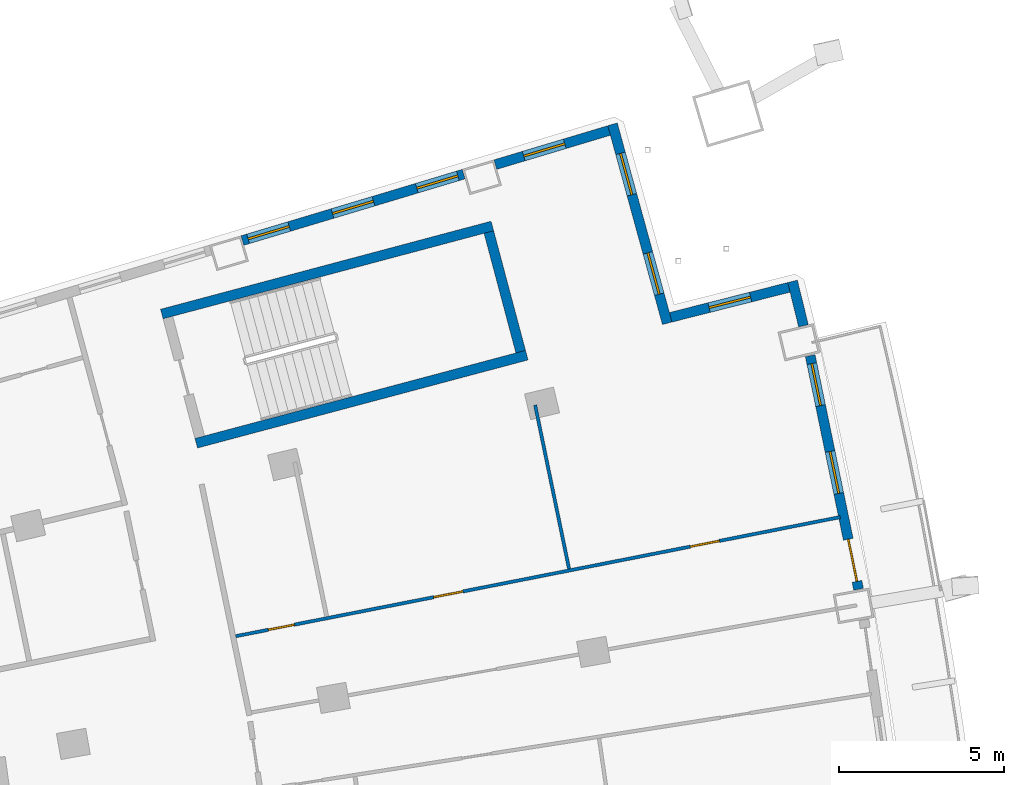
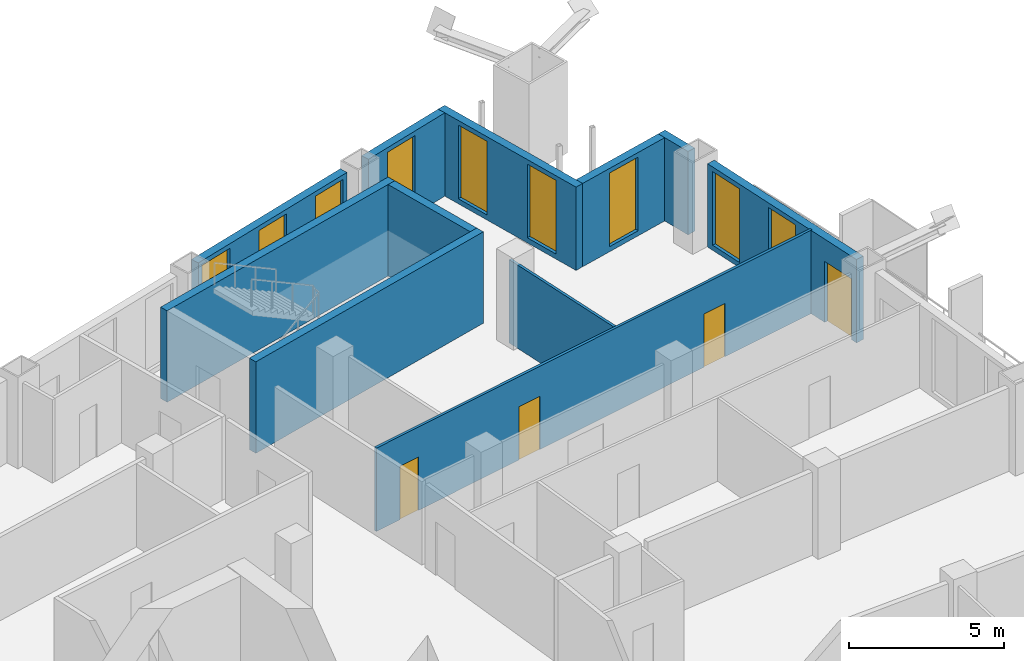
# One storey, part 17 of 22: 11 walls, 9 windows, 4 doors, 13 openings.
"""IFC4 building model written with IfcOpenShell, lengths in metres."""

from ifc_helpers import new_model, si_unit, direction, frame, frame_2d, origin, place, context, subcontext, project, spatial, rectangle, extrude, material, layer, layer_set, type_object, element, fill, save


model = new_model("IFC4")

# Units and contexts
model_context = context("Model", 3, precision=1e-05, world=origin(), true_north=direction((0.0, 1.0)))
body_context = subcontext(model_context, "Body", "Model", "MODEL_VIEW")
ifc_project = project(units=[si_unit("LENGTHUNIT", "METRE"), si_unit("AREAUNIT", "SQUARE_METRE"), si_unit("VOLUMEUNIT", "CUBIC_METRE"), si_unit("PLANEANGLEUNIT", "RADIAN"), si_unit("MASSUNIT", "GRAM", prefix="KILO")], contexts=[model_context])

# Site, building, storey
site_placement = place(None, origin())
site = spatial("IfcSite", under=ifc_project, at=site_placement, CompositionType="ELEMENT")
building_placement = place(site_placement, origin())
building = spatial("IfcBuilding", under=site, at=building_placement, Name="Alderwake Tower", CompositionType="ELEMENT")
storey_placement = place(building_placement, frame((0.0, 0.0, 156.800048828125)))
storey = spatial("IfcBuildingStorey", under=building, at=storey_placement, Name="L38", CompositionType="ELEMENT", Elevation=156.800048828125)

# Walls
ifc_material_1 = material(Name="Concrete C70/85", Category="concrete")
ifc_layer_1 = layer(ifc_material_1, 0.300048828125)
ifc_layer_set_1 = layer_set([ifc_layer_1], Name="Core wall stair enclosure 300 C70-85")
wall_type_1 = type_object("IfcWallType", Name="Core wall stair enclosure 300 C70-85", PredefinedType="SHEAR", material=ifc_layer_set_1)
for number, where, z_axis, x_axis, name in (
    (1, (36.71142578125, 94.182373046875, 0.0), (0.0, 0.0, 1.0), (0.966309214305, 0.257383958996, 0.0), "Core wall CW.082"),
    (2, (37.75390625, 90.268798828125, 0.0), (0.0, 0.0, 1.0), (0.966309214305, 0.257383958996, 0.0), "Core wall CW.084"),
):
    element("IfcWall", number, at=place(storey_placement, frame(where, z_axis=z_axis, x_axis=x_axis)), inside=storey, type_object=wall_type_1, Name=name, PredefinedType="SHEAR", context=body_context, shape_type="SweptSolid", body=[
        extrude(rectangle(XDim=10.360107421875, YDim=0.300048828125, at=frame_2d((5.18017578125, 0.0))), origin(), (0.0, 0.0, 1.0), 3.599853515625),
    ])
wall_1_placement = place(storey_placement, frame((47.581298828125, 93.041748046875, 0.0), z_axis=(0.0, 0.0, 1.0), x_axis=(-0.257366821694, 0.966313778796, 0.0)))
element("IfcWall", 3, at=wall_1_placement, inside=storey, type_object=wall_type_1, Name="Core wall CW.081", PredefinedType="SHEAR", context=body_context, shape_type="SweptSolid", body=[
    extrude(rectangle(XDim=3.749755859375, YDim=0.300048828125, at=frame_2d((1.875, 0.0))), origin(), (0.0, 0.0, 1.0), 3.599853515625),
])

# Wall, openings, door, windows
ifc_material_2 = material(Name="Precast concrete C50/60 spandrel panel", Category="concrete")
ifc_layer_2 = layer(ifc_material_2, 0.300048828125)
ifc_layer_set_2 = layer_set([ifc_layer_2], Name="External wall EW1 Precast concrete C50/60 spandrel")
wall_type_2 = type_object("IfcWallType", Name="External wall EW1 Precast concrete C50/60 spandrel", PredefinedType="SOLIDWALL", material=ifc_layer_set_2)
wall_2_placement = place(storey_placement, frame((57.81494140625, 85.84716796875, 0.0), z_axis=(0.0, 0.0, 1.0), x_axis=(-0.202762098715, 0.979228028257, 0.0)))
wall_2 = element("IfcWall", 4, at=wall_2_placement, inside=storey, type_object=wall_type_2, Name="External wall 19", PredefinedType="SOLIDWALL", context=body_context, shape_type="SweptSolid", body=[
    extrude(rectangle(XDim=7.221923828125, YDim=0.300048828125, at=frame_2d((3.61083984375, 0.0))), origin(), (0.0, 0.0, 1.0), 3.280029296875),
])
opening_1_placement = place(wall_2_placement, frame((0.2431640625, 0.0, 0.0)))
opening_1 = element("IfcOpeningElement", 5, at=opening_1_placement, cuts=wall_2, Name="Opening D08", PredefinedType="OPENING", context=body_context, shape_type="SweptSolid", body=[
    extrude(rectangle(XDim=1.300048828125, YDim=2.39990234375, at=frame_2d((0.64990234375, 1.199951171875))), frame((0.0, 0.159912109375, 0.0), z_axis=(0.0, -1.0, 0.0), x_axis=(1.0, 0.0, 0.0)), (0.0, 0.0, 1.0), 0.320068359375),
])
opening_2_placement = place(wall_2_placement, frame((2.961181640625, 0.0, 0.199951171875)))
opening_2 = element("IfcOpeningElement", 6, at=opening_2_placement, cuts=wall_2, Name="Opening W1", PredefinedType="OPENING", context=body_context, shape_type="SweptSolid", body=[
    extrude(rectangle(XDim=1.300048828125, YDim=2.89990234375, at=frame_2d((0.64990234375, 1.449951171875))), frame((0.0, 0.159912109375, 0.0), z_axis=(0.0, -1.0, 0.0), x_axis=(1.0, 0.0, 0.0)), (0.0, 0.0, 1.0), 0.320068359375),
])
opening_3_placement = place(wall_2_placement, frame((5.678955078125, 0.0, 0.199951171875)))
opening_3 = element("IfcOpeningElement", 7, at=opening_3_placement, cuts=wall_2, Name="Opening W1", PredefinedType="OPENING", context=body_context, shape_type="SweptSolid", body=[
    extrude(rectangle(XDim=1.300048828125, YDim=2.89990234375, at=frame_2d((0.64990234375, 1.449951171875))), frame((0.0, 0.159912109375, 0.0), z_axis=(0.0, -1.0, 0.0), x_axis=(1.0, 0.0, 0.0)), (0.0, 0.0, 1.0), 0.320068359375),
])
ifc_material_3 = material(Name="Bronze tinted glass in aluminium frame", Category="aluminium")
door_type_1 = type_object("IfcDoorType", Name="Balcony door BD sliding", OperationType="SLIDING_TO_LEFT", PredefinedType="DOOR", material=ifc_material_3)
door_1_placement = place(opening_1_placement, origin())
door_1 = element("IfcDoor", 8, at=door_1_placement, inside=storey, type_object=door_type_1, Name="Door D08", OperationType="SLIDING_TO_LEFT", OverallHeight=2.39990234375, OverallWidth=1.300048828125, PredefinedType="DOOR", context=body_context, shape_type="SweptSolid", body=[
    extrude(rectangle(XDim=1.300048828125, YDim=2.39990234375, at=frame_2d((0.64990234375, 1.199951171875))), frame((0.0, 0.02490234375, 0.0), z_axis=(0.0, -1.0, 0.0), x_axis=(1.0, 0.0, 0.0)), (0.0, 0.0, 1.0), 0.050048828125),
])
fill(opening_1, door_1)
ifc_material_4 = material(Name="Bronze tinted glass in aluminium frame", Category="aluminium")
window_type = type_object("IfcWindowType", Name="Window W1 tall fixed and vent", PartitioningType="DOUBLE_PANEL_VERTICAL", PredefinedType="WINDOW", material=ifc_material_4)
window_1_placement = place(opening_2_placement, origin())
window_1 = element("IfcWindow", 9, at=window_1_placement, inside=storey, type_object=window_type, Name="Window W1 tall fixed and vent", OverallHeight=2.89990234375, OverallWidth=1.300048828125, PartitioningType="DOUBLE_PANEL_VERTICAL", PredefinedType="WINDOW", context=body_context, shape_type="SweptSolid", body=[
    extrude(rectangle(XDim=1.300048828125, YDim=2.89990234375, at=frame_2d((0.64990234375, 1.449951171875))), frame((0.0, 0.030029296875, 0.0), z_axis=(0.0, -1.0, 0.0), x_axis=(1.0, 0.0, 0.0)), (0.0, 0.0, 1.0), 0.06005859375),
])
fill(opening_2, window_1)
window_2_placement = place(opening_3_placement, origin())
window_2 = element("IfcWindow", 10, at=window_2_placement, inside=storey, type_object=window_type, Name="Window W1 tall fixed and vent", OverallHeight=2.89990234375, OverallWidth=1.300048828125, PartitioningType="DOUBLE_PANEL_VERTICAL", PredefinedType="WINDOW", context=body_context, shape_type="SweptSolid", body=[
    extrude(rectangle(XDim=1.300048828125, YDim=2.89990234375, at=frame_2d((0.64990234375, 1.449951171875))), frame((0.0, 0.030029296875, 0.0), z_axis=(0.0, -1.0, 0.0), x_axis=(1.0, 0.0, 0.0)), (0.0, 0.0, 1.0), 0.06005859375),
])
fill(opening_3, window_2)

# Wall
wall_3_placement = place(storey_placement, frame((56.14599609375, 93.8251953125, 0.0), z_axis=(0.0, 0.0, 1.0), x_axis=(-0.238224661371, 0.97121007548, 0.0)))
element("IfcWall", 11, at=wall_3_placement, inside=storey, type_object=wall_type_2, Name="External wall 20", PredefinedType="SOLIDWALL", context=body_context, shape_type="SweptSolid", body=[
    extrude(rectangle(XDim=1.38671875, YDim=0.300048828125, at=frame_2d((0.693359375, 0.0))), origin(), (0.0, 0.0, 1.0), 3.280029296875),
])

# Wall, opening, window
ifc_material_5 = material(Name="Bronze metal cladding on lightweight framing")
ifc_layer_3 = layer(ifc_material_5, 0.300048828125)
ifc_layer_set_3 = layer_set([ifc_layer_3], Name="External wall EW2 bronze metal cladding")
wall_type_3 = type_object("IfcWallType", Name="External wall EW2 bronze metal cladding", PredefinedType="SOLIDWALL", material=ifc_layer_set_3)
wall_4_placement = place(storey_placement, frame((55.7060546875, 94.989501953125, 0.0), z_axis=(0.0, 0.0, 1.0), x_axis=(-0.969426922046, -0.245380200529, 0.0)))
wall_4 = element("IfcWall", 12, at=wall_4_placement, inside=storey, type_object=wall_type_3, Name="External wall 21", PredefinedType="SOLIDWALL", context=body_context, shape_type="SweptSolid", body=[
    extrude(rectangle(XDim=3.6943359375, YDim=0.300048828125, at=frame_2d((1.84716796875, 0.0))), origin(), (0.0, 0.0, 1.0), 3.280029296875),
])
opening_4_placement = place(wall_4_placement, frame((1.197021484375, 0.0, 0.199951171875)))
opening_4 = element("IfcOpeningElement", 13, at=opening_4_placement, cuts=wall_4, Name="Opening W1", PredefinedType="OPENING", context=body_context, shape_type="SweptSolid", body=[
    extrude(rectangle(XDim=1.300048828125, YDim=2.89990234375, at=frame_2d((0.64990234375, 1.449951171875))), frame((0.0, 0.159912109375, 0.0), z_axis=(0.0, -1.0, 0.0), x_axis=(1.0, 0.0, 0.0)), (0.0, 0.0, 1.0), 0.320068359375),
])
window_3_placement = place(opening_4_placement, origin())
window_3 = element("IfcWindow", 14, at=window_3_placement, inside=storey, type_object=window_type, Name="Window W1 tall fixed and vent", OverallHeight=2.89990234375, OverallWidth=1.300048828125, PartitioningType="DOUBLE_PANEL_VERTICAL", PredefinedType="WINDOW", context=body_context, shape_type="SweptSolid", body=[
    extrude(rectangle(XDim=1.300048828125, YDim=2.89990234375, at=frame_2d((0.64990234375, 1.449951171875))), frame((0.0, 0.030029296875, 0.0), z_axis=(0.0, -1.0, 0.0), x_axis=(1.0, 0.0, 0.0)), (0.0, 0.0, 1.0), 0.06005859375),
])
fill(opening_4, window_3)

# Wall, openings, windows
wall_5_placement = place(storey_placement, frame((52.01904296875, 93.901611328125, 0.0), z_axis=(0.0, 0.0, 1.0), x_axis=(-0.265092944452, 0.964222863659, 0.0)))
wall_5 = element("IfcWall", 15, at=wall_5_placement, inside=storey, type_object=wall_type_3, Name="External wall 22", PredefinedType="SOLIDWALL", context=body_context, shape_type="SweptSolid", body=[
    extrude(rectangle(XDim=6.25146484375, YDim=0.300048828125, at=frame_2d((3.125732421875, 0.0))), origin(), (0.0, 0.0, 1.0), 3.280029296875),
])
opening_5_placement = place(wall_5_placement, frame((0.912841796875, 0.0, 0.199951171875)))
opening_5 = element("IfcOpeningElement", 16, at=opening_5_placement, cuts=wall_5, Name="Opening W1", PredefinedType="OPENING", context=body_context, shape_type="SweptSolid", body=[
    extrude(rectangle(XDim=1.300048828125, YDim=2.89990234375, at=frame_2d((0.64990234375, 1.449951171875))), frame((0.0, 0.159912109375, 0.0), z_axis=(0.0, -1.0, 0.0), x_axis=(1.0, 0.0, 0.0)), (0.0, 0.0, 1.0), 0.320068359375),
])
opening_6_placement = place(wall_5_placement, frame((4.038818359375, 0.0, 0.199951171875)))
opening_6 = element("IfcOpeningElement", 17, at=opening_6_placement, cuts=wall_5, Name="Opening W1", PredefinedType="OPENING", context=body_context, shape_type="SweptSolid", body=[
    extrude(rectangle(XDim=1.300048828125, YDim=2.89990234375, at=frame_2d((0.64990234375, 1.449951171875))), frame((0.0, 0.159912109375, 0.0), z_axis=(0.0, -1.0, 0.0), x_axis=(1.0, 0.0, 0.0)), (0.0, 0.0, 1.0), 0.320068359375),
])
window_4_placement = place(opening_5_placement, origin())
window_4 = element("IfcWindow", 18, at=window_4_placement, inside=storey, type_object=window_type, Name="Window W1 tall fixed and vent", OverallHeight=2.89990234375, OverallWidth=1.300048828125, PartitioningType="DOUBLE_PANEL_VERTICAL", PredefinedType="WINDOW", context=body_context, shape_type="SweptSolid", body=[
    extrude(rectangle(XDim=1.300048828125, YDim=2.89990234375, at=frame_2d((0.64990234375, 1.449951171875))), frame((0.0, 0.030029296875, 0.0), z_axis=(0.0, -1.0, 0.0), x_axis=(1.0, 0.0, 0.0)), (0.0, 0.0, 1.0), 0.06005859375),
])
fill(opening_5, window_4)
window_5_placement = place(opening_6_placement, origin())
window_5 = element("IfcWindow", 19, at=window_5_placement, inside=storey, type_object=window_type, Name="Window W1 tall fixed and vent", OverallHeight=2.89990234375, OverallWidth=1.300048828125, PartitioningType="DOUBLE_PANEL_VERTICAL", PredefinedType="WINDOW", context=body_context, shape_type="SweptSolid", body=[
    extrude(rectangle(XDim=1.300048828125, YDim=2.89990234375, at=frame_2d((0.64990234375, 1.449951171875))), frame((0.0, 0.030029296875, 0.0), z_axis=(0.0, -1.0, 0.0), x_axis=(1.0, 0.0, 0.0)), (0.0, 0.0, 1.0), 0.06005859375),
])
fill(opening_6, window_5)

# Wall, opening, window
wall_6_placement = place(storey_placement, frame((50.2578125, 99.74169921875, 0.0), z_axis=(0.0, 0.0, 1.0), x_axis=(-0.957758994148, -0.287572093792, 0.0)))
wall_6 = element("IfcWall", 20, at=wall_6_placement, inside=storey, type_object=wall_type_3, Name="External wall 23", PredefinedType="SOLIDWALL", context=body_context, shape_type="SweptSolid", body=[
    extrude(rectangle(XDim=3.59619140625, YDim=0.300048828125, at=frame_2d((1.798095703125, 0.0))), origin(), (0.0, 0.0, 1.0), 3.280029296875),
])
opening_7_placement = place(wall_6_placement, frame((1.39892578125, 0.0, 0.199951171875)))
opening_7 = element("IfcOpeningElement", 21, at=opening_7_placement, cuts=wall_6, Name="Opening W1", PredefinedType="OPENING", context=body_context, shape_type="SweptSolid", body=[
    extrude(rectangle(XDim=1.300048828125, YDim=2.89990234375, at=frame_2d((0.64990234375, 1.449951171875))), frame((0.0, 0.159912109375, 0.0), z_axis=(0.0, -1.0, 0.0), x_axis=(1.0, 0.0, 0.0)), (0.0, 0.0, 1.0), 0.320068359375),
])
window_6_placement = place(opening_7_placement, origin())
window_6 = element("IfcWindow", 22, at=window_6_placement, inside=storey, type_object=window_type, Name="Window W1 tall fixed and vent", OverallHeight=2.89990234375, OverallWidth=1.300048828125, PartitioningType="DOUBLE_PANEL_VERTICAL", PredefinedType="WINDOW", context=body_context, shape_type="SweptSolid", body=[
    extrude(rectangle(XDim=1.300048828125, YDim=2.89990234375, at=frame_2d((0.64990234375, 1.449951171875))), frame((0.0, 0.030029296875, 0.0), z_axis=(0.0, -1.0, 0.0), x_axis=(1.0, 0.0, 0.0)), (0.0, 0.0, 1.0), 0.06005859375),
])
fill(opening_7, window_6)

# Wall, openings, windows
wall_7_placement = place(storey_placement, frame((45.852294921875, 98.4189453125, 0.0), z_axis=(0.0, 0.0, 1.0), x_axis=(-0.957766716661, -0.287546372706, 0.0)))
wall_7 = element("IfcWall", 23, at=wall_7_placement, inside=storey, type_object=wall_type_3, Name="External wall 24", PredefinedType="SOLIDWALL", context=body_context, shape_type="SweptSolid", body=[
    extrude(rectangle(XDim=6.99609375, YDim=0.300048828125, at=frame_2d((3.498046875, 0.0))), origin(), (0.0, 0.0, 1.0), 3.280029296875),
])
opening_8_placement = place(wall_7_placement, frame((0.181396484375, 0.0, 0.199951171875)))
opening_8 = element("IfcOpeningElement", 24, at=opening_8_placement, cuts=wall_7, Name="Opening W1", PredefinedType="OPENING", context=body_context, shape_type="SweptSolid", body=[
    extrude(rectangle(XDim=1.300048828125, YDim=2.89990234375, at=frame_2d((0.64990234375, 1.449951171875))), frame((0.0, 0.159912109375, 0.0), z_axis=(0.0, -1.0, 0.0), x_axis=(1.0, 0.0, 0.0)), (0.0, 0.0, 1.0), 0.320068359375),
])
opening_9_placement = place(wall_7_placement, frame((2.84814453125, 0.0, 0.199951171875)))
opening_9 = element("IfcOpeningElement", 25, at=opening_9_placement, cuts=wall_7, Name="Opening W1", PredefinedType="OPENING", context=body_context, shape_type="SweptSolid", body=[
    extrude(rectangle(XDim=1.300048828125, YDim=2.89990234375, at=frame_2d((0.64990234375, 1.449951171875))), frame((0.0, 0.159912109375, 0.0), z_axis=(0.0, -1.0, 0.0), x_axis=(1.0, 0.0, 0.0)), (0.0, 0.0, 1.0), 0.320068359375),
])
opening_10_placement = place(wall_7_placement, frame((5.514892578125, 0.0, 0.199951171875)))
opening_10 = element("IfcOpeningElement", 26, at=opening_10_placement, cuts=wall_7, Name="Opening W1", PredefinedType="OPENING", context=body_context, shape_type="SweptSolid", body=[
    extrude(rectangle(XDim=1.300048828125, YDim=2.89990234375, at=frame_2d((0.64990234375, 1.449951171875))), frame((0.0, 0.159912109375, 0.0), z_axis=(0.0, -1.0, 0.0), x_axis=(1.0, 0.0, 0.0)), (0.0, 0.0, 1.0), 0.320068359375),
])
window_7_placement = place(opening_8_placement, origin())
window_7 = element("IfcWindow", 27, at=window_7_placement, inside=storey, type_object=window_type, Name="Window W1 tall fixed and vent", OverallHeight=2.89990234375, OverallWidth=1.300048828125, PartitioningType="DOUBLE_PANEL_VERTICAL", PredefinedType="WINDOW", context=body_context, shape_type="SweptSolid", body=[
    extrude(rectangle(XDim=1.300048828125, YDim=2.89990234375, at=frame_2d((0.64990234375, 1.449951171875))), frame((0.0, 0.030029296875, 0.0), z_axis=(0.0, -1.0, 0.0), x_axis=(1.0, 0.0, 0.0)), (0.0, 0.0, 1.0), 0.06005859375),
])
fill(opening_8, window_7)
window_8_placement = place(opening_9_placement, origin())
window_8 = element("IfcWindow", 28, at=window_8_placement, inside=storey, type_object=window_type, Name="Window W1 tall fixed and vent", OverallHeight=2.89990234375, OverallWidth=1.300048828125, PartitioningType="DOUBLE_PANEL_VERTICAL", PredefinedType="WINDOW", context=body_context, shape_type="SweptSolid", body=[
    extrude(rectangle(XDim=1.300048828125, YDim=2.89990234375, at=frame_2d((0.64990234375, 1.449951171875))), frame((0.0, 0.030029296875, 0.0), z_axis=(0.0, -1.0, 0.0), x_axis=(1.0, 0.0, 0.0)), (0.0, 0.0, 1.0), 0.06005859375),
])
fill(opening_9, window_8)
window_9_placement = place(opening_10_placement, origin())
window_9 = element("IfcWindow", 29, at=window_9_placement, inside=storey, type_object=window_type, Name="Window W1 tall fixed and vent", OverallHeight=2.89990234375, OverallWidth=1.300048828125, PartitioningType="DOUBLE_PANEL_VERTICAL", PredefinedType="WINDOW", context=body_context, shape_type="SweptSolid", body=[
    extrude(rectangle(XDim=1.300048828125, YDim=2.89990234375, at=frame_2d((0.64990234375, 1.449951171875))), frame((0.0, 0.030029296875, 0.0), z_axis=(0.0, -1.0, 0.0), x_axis=(1.0, 0.0, 0.0)), (0.0, 0.0, 1.0), 0.06005859375),
])
fill(opening_10, window_9)

# Wall, openings, doors
ifc_material_6 = material(Name="Gypsum board on metal studs")
ifc_layer_4 = layer(ifc_material_6, 0.10009765625)
ifc_layer_set_4 = layer_set([ifc_layer_4], Name="Unit partition 100")
wall_type_4 = type_object("IfcWallType", Name="Unit partition 100", PredefinedType="PARTITIONING", material=ifc_layer_set_4)
wall_8_placement = place(storey_placement, frame((38.949462890625, 84.423583984375, 0.0), z_axis=(0.0, 0.0, 1.0), x_axis=(0.981132184997, 0.193338137889, 0.0)))
wall_8 = element("IfcWall", 30, at=wall_8_placement, inside=storey, type_object=wall_type_4, Name="WL/L38/W43", PredefinedType="PARTITIONING", context=body_context, shape_type="SweptSolid", body=[
    extrude(rectangle(XDim=18.66357421875, YDim=0.10009765625, at=frame_2d((9.331787109375, 0.0))), origin(), (0.0, 0.0, 1.0), 3.280029296875),
])
opening_11_placement = place(wall_8_placement, frame((6.1103515625, 0.0, 0.0)))
opening_11 = element("IfcOpeningElement", 31, at=opening_11_placement, cuts=wall_8, Name="Opening R10-U07.5", PredefinedType="OPENING", context=body_context, shape_type="SweptSolid", body=[
    extrude(rectangle(XDim=0.89990234375, YDim=2.10009765625, at=frame_2d((0.449951171875, 1.050048828125))), frame((0.0, 0.06005859375, 0.0), z_axis=(0.0, -1.0, 0.0), x_axis=(1.0, 0.0, 0.0)), (0.0, 0.0, 1.0), 0.1201171875),
])
opening_12_placement = place(wall_8_placement, frame((1.009521484375, 0.0, 0.0)))
opening_12 = element("IfcOpeningElement", 32, at=opening_12_placement, cuts=wall_8, Name="Opening R10-U07.6", PredefinedType="OPENING", context=body_context, shape_type="SweptSolid", body=[
    extrude(rectangle(XDim=0.800048828125, YDim=2.10009765625, at=frame_2d((0.39990234375, 1.050048828125))), frame((0.0, 0.06005859375, 0.0), z_axis=(0.0, -1.0, 0.0), x_axis=(1.0, 0.0, 0.0)), (0.0, 0.0, 1.0), 0.1201171875),
])
opening_13_placement = place(wall_8_placement, frame((14.031982421875, 0.0, 0.0)))
opening_13 = element("IfcOpeningElement", 33, at=opening_13_placement, cuts=wall_8, Name="Opening R10-U07.7", PredefinedType="OPENING", context=body_context, shape_type="SweptSolid", body=[
    extrude(rectangle(XDim=0.89990234375, YDim=2.10009765625, at=frame_2d((0.449951171875, 1.050048828125))), frame((0.0, 0.06005859375, 0.0), z_axis=(0.0, -1.0, 0.0), x_axis=(1.0, 0.0, 0.0)), (0.0, 0.0, 1.0), 0.1201171875),
])
ifc_material_7 = material(Name="Painted timber leaf", Category="wood")
door_type_2 = type_object("IfcDoorType", Name="Bathroom door 800", OperationType="SINGLE_SWING_LEFT", PredefinedType="DOOR", material=ifc_material_7)
door_2_placement = place(opening_12_placement, origin())
door_2 = element("IfcDoor", 34, at=door_2_placement, inside=storey, type_object=door_type_2, Name="DR/L38/U07.6", OperationType="SINGLE_SWING_LEFT", OverallHeight=2.10009765625, OverallWidth=0.800048828125, PredefinedType="DOOR", context=body_context, shape_type="SweptSolid", body=[
    extrude(rectangle(XDim=0.800048828125, YDim=2.10009765625, at=frame_2d((0.39990234375, 1.050048828125))), frame((0.0, 0.02490234375, 0.0), z_axis=(0.0, -1.0, 0.0), x_axis=(1.0, 0.0, 0.0)), (0.0, 0.0, 1.0), 0.050048828125),
])
fill(opening_12, door_2)
ifc_material_8 = material(Name="Painted timber leaf", Category="wood")
door_type_3 = type_object("IfcDoorType", Name="Room door 900", OperationType="SINGLE_SWING_LEFT", PredefinedType="DOOR", material=ifc_material_8)
door_3_placement = place(opening_11_placement, origin())
door_3 = element("IfcDoor", 35, at=door_3_placement, inside=storey, type_object=door_type_3, Name="DR/L38/U07.5", OperationType="SINGLE_SWING_LEFT", OverallHeight=2.10009765625, OverallWidth=0.89990234375, PredefinedType="DOOR", context=body_context, shape_type="SweptSolid", body=[
    extrude(rectangle(XDim=0.89990234375, YDim=2.10009765625, at=frame_2d((0.449951171875, 1.050048828125))), frame((0.0, 0.02490234375, 0.0), z_axis=(0.0, -1.0, 0.0), x_axis=(1.0, 0.0, 0.0)), (0.0, 0.0, 1.0), 0.050048828125),
])
fill(opening_11, door_3)
door_4_placement = place(opening_13_placement, origin())
door_4 = element("IfcDoor", 36, at=door_4_placement, inside=storey, type_object=door_type_3, Name="DR/L38/U07.7", OperationType="SINGLE_SWING_LEFT", OverallHeight=2.10009765625, OverallWidth=0.89990234375, PredefinedType="DOOR", context=body_context, shape_type="SweptSolid", body=[
    extrude(rectangle(XDim=0.89990234375, YDim=2.10009765625, at=frame_2d((0.449951171875, 1.050048828125))), frame((0.0, 0.02490234375, 0.0), z_axis=(0.0, -1.0, 0.0), x_axis=(1.0, 0.0, 0.0)), (0.0, 0.0, 1.0), 0.050048828125),
])
fill(opening_13, door_4)

# Wall
wall_9_placement = place(storey_placement, frame((49.0458984375, 86.464111328125, 0.0), z_axis=(0.0, 0.0, 1.0), x_axis=(-0.202876488764, 0.979204335319, 0.0)))
element("IfcWall", 37, at=wall_9_placement, inside=storey, type_object=wall_type_4, Name="WL/L38/W48", PredefinedType="PARTITIONING", context=body_context, shape_type="SweptSolid", body=[
    extrude(rectangle(XDim=5.06640625, YDim=0.10009765625, at=frame_2d((2.533203125, 0.0))), origin(), (0.0, 0.0, 1.0), 3.280029296875),
])

save(model, "model.ifc")
